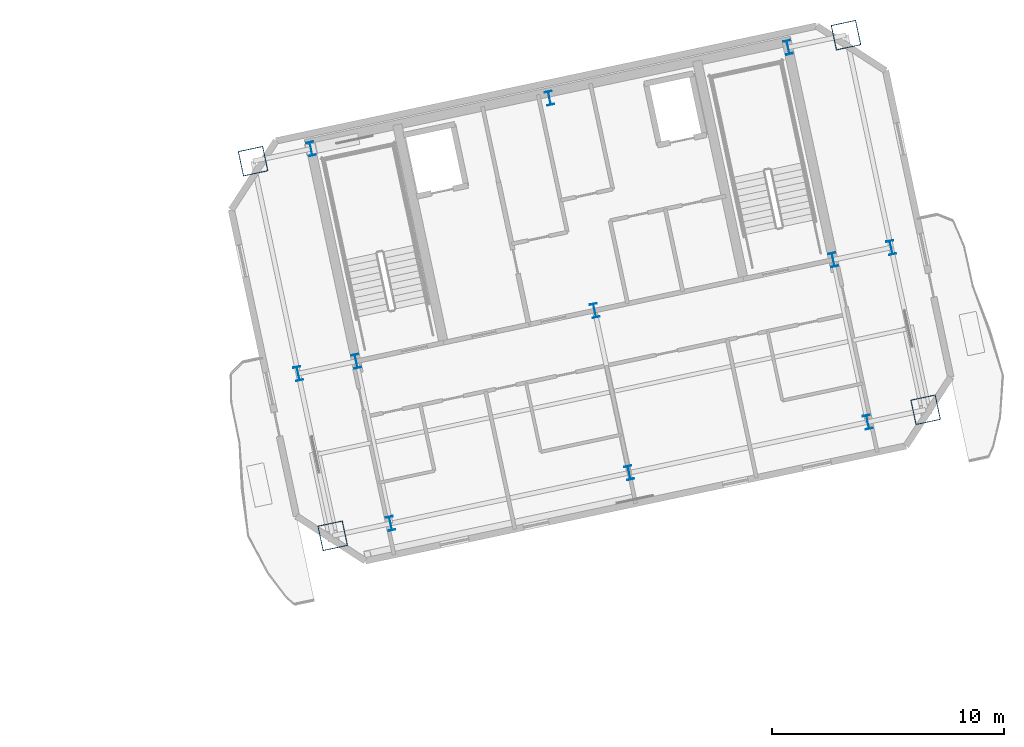
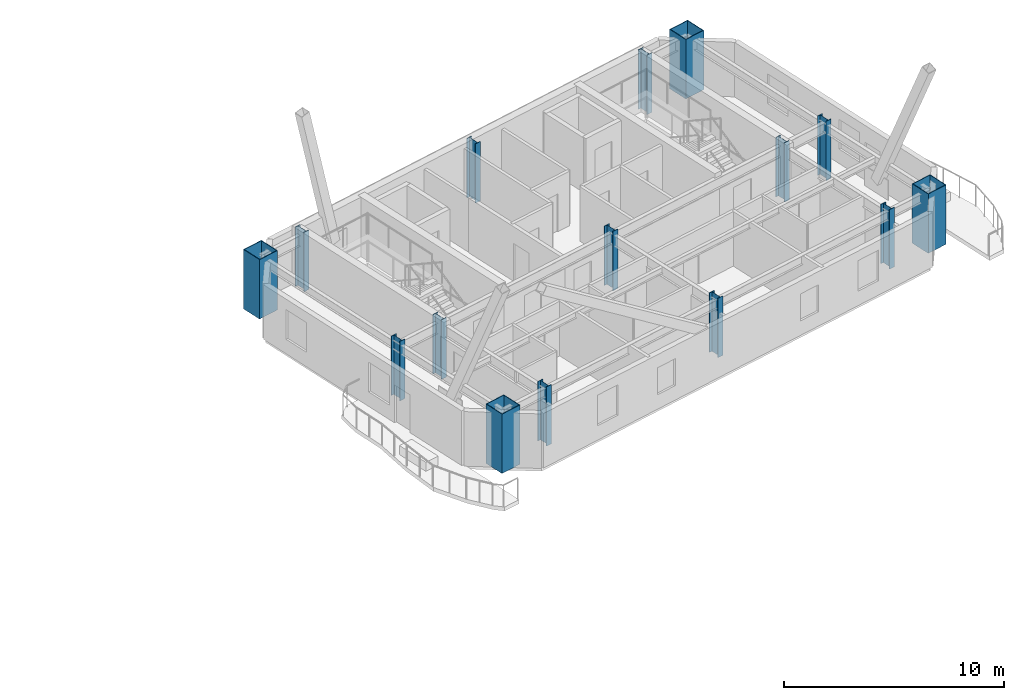
# One storey, part 2 of 13: 15 columns.
"""IFC4 building model written with IfcOpenShell, lengths in metres."""

from ifc_helpers import new_model, si_unit, direction, frame, origin, origin_2d, place, context, subcontext, project, spatial, hollow_rectangle, i_section, extrude, material, material_profile, profile_set, type_object, element, save


model = new_model("IFC4")

# Units and contexts
model_context = context("Model", 3, precision=1e-05, world=origin(), true_north=direction((0.0, 1.0)))
body_context = subcontext(model_context, "Body", "Model", "MODEL_VIEW")
ifc_project = project(units=[si_unit("LENGTHUNIT", "METRE"), si_unit("AREAUNIT", "SQUARE_METRE"), si_unit("VOLUMEUNIT", "CUBIC_METRE"), si_unit("PLANEANGLEUNIT", "RADIAN"), si_unit("MASSUNIT", "GRAM", prefix="KILO")], contexts=[model_context])

# Site, building, storey
site_placement = place(None, origin())
site = spatial("IfcSite", under=ifc_project, at=site_placement, CompositionType="ELEMENT")
building_placement = place(site_placement, origin())
building = spatial("IfcBuilding", under=site, at=building_placement, Name="Haevon Station Towers", CompositionType="ELEMENT")
storey_placement = place(building_placement, frame((0.0, 0.0, 225.300048828125)))
storey = spatial("IfcBuildingStorey", under=building, at=storey_placement, Name="L62", CompositionType="ELEMENT", Elevation=225.300048828125)

# Columns
ifc_material_1 = material(Name="Steel S460", Category="steel")
ifc_material_profile_1 = material_profile(ifc_material_1, hollow_rectangle(XDim=1.10009765625, YDim=1.10009765625, WallThickness=0.031982421875, at=origin_2d()), Name="BOX-1100x1100x32")
ifc_profile_set_1 = profile_set([ifc_material_profile_1], Name="Steel S460")
column_type_1 = type_object("IfcColumnType", Name="COL-MC5", PredefinedType="COLUMN", material=ifc_profile_set_1)
for number, where, z_axis, x_axis, name in (
    (1, (97.74267578125, 29.92822265625, 0.0), (0.0, 0.0, 1.0), (0.978147600734, 0.207911690818, 0.0), "COL-T2-L62-01-01"),
    (2, (94.314208984375, 46.057861328125, 0.0), (0.0, 0.0, 1.0), (0.978147600734, 0.207911690818, 0.0), "COL-T2-L62-01-03"),
    (3, (123.272216796875, 35.354736328125, 0.0), (0.0, 0.0, 1.0), (0.978147600734, 0.207911690818, 0.0), "COL-T2-L62-05-01"),
    (4, (119.84375, 51.484375, 0.0), (0.0, 0.0, 1.0), (0.978147600734, 0.207911690818, 0.0), "COL-T2-L62-05-03"),
):
    element("IfcColumn", number, at=place(storey_placement, frame(where, z_axis=z_axis, x_axis=x_axis)), inside=storey, type_object=column_type_1, Name=name, PredefinedType="COLUMN", context=body_context, shape_type="SweptSolid", body=[
        extrude(hollow_rectangle(XDim=1.10009765625, YDim=1.10009765625, WallThickness=0.031982421875, at=origin_2d()), origin(), (0.0, 0.0, 1.0), 3.300048828125),
    ])
ifc_material_2 = material(Name="Steel S355", Category="steel")
ifc_material_profile_2 = material_profile(ifc_material_2, i_section(OverallWidth=0.300048828125, OverallDepth=0.60009765625, WebThickness=0.013916015625, FlangeThickness=0.02490234375, at=origin_2d()), Name="H-600x300x14x25")
ifc_profile_set_2 = profile_set([ifc_material_profile_2], Name="Steel S355")
column_type_2 = type_object("IfcColumnType", Name="COL-TW4", PredefinedType="COLUMN", material=ifc_profile_set_2)
for number, where, z_axis, x_axis, name in (
    (5, (96.258056640625, 36.912353515625, 0.0), (0.0, 0.0, 1.0), (0.978147600734, 0.207911690818, 0.0), "COL-T2-L62-01-02"),
    (6, (100.23681640625, 30.45849609375, 0.0), (0.0, 0.0, 1.0), (0.978147600734, 0.207911690818, 0.0), "COL-T2-L62-02-01"),
    (7, (98.75244140625, 37.4423828125, 0.0), (0.0, 0.0, 1.0), (0.978147600734, 0.207911690818, 0.0), "COL-T2-L62-02-02"),
    (8, (96.808349609375, 46.588134765625, 0.0), (0.0, 0.0, 1.0), (0.978147600734, 0.207911690818, 0.0), "COL-T2-L62-02-03"),
    (9, (110.50732421875, 32.6416015625, 0.0), (0.0, 0.0, 1.0), (0.978147600734, 0.207911690818, 0.0), "COL-T2-L62-03-01"),
    (10, (109.02294921875, 39.62548828125, 0.0), (0.0, 0.0, 1.0), (0.978147600734, 0.207911690818, 0.0), "COL-T2-L62-03-02"),
    (11, (107.078857421875, 48.771240234375, 0.0), (0.0, 0.0, 1.0), (0.978147600734, 0.207911690818, 0.0), "COL-T2-L62-03-03"),
    (12, (120.77783203125, 34.824462890625, 0.0), (0.0, 0.0, 1.0), (0.978147600734, 0.207911690818, 0.0), "COL-T2-L62-04-01"),
    (13, (119.29345703125, 41.80859375, 0.0), (0.0, 0.0, 1.0), (0.978147600734, 0.207911690818, 0.0), "COL-T2-L62-04-02"),
    (14, (117.349365234375, 50.954345703125, 0.0), (0.0, 0.0, 1.0), (0.978147600734, 0.207911690818, 0.0), "COL-T2-L62-04-03"),
    (15, (121.787841796875, 42.338623046875, 0.0), (0.0, 0.0, 1.0), (0.978147600734, 0.207911690818, 0.0), "COL-T2-L62-05-02"),
):
    element("IfcColumn", number, at=place(storey_placement, frame(where, z_axis=z_axis, x_axis=x_axis)), inside=storey, type_object=column_type_2, Name=name, PredefinedType="COLUMN", context=body_context, shape_type="SweptSolid", body=[
        extrude(i_section(OverallWidth=0.300048828125, OverallDepth=0.60009765625, WebThickness=0.013916015625, FlangeThickness=0.02490234375, at=origin_2d()), origin(), (0.0, 0.0, 1.0), 3.300048828125),
    ])

save(model, "model.ifc")
